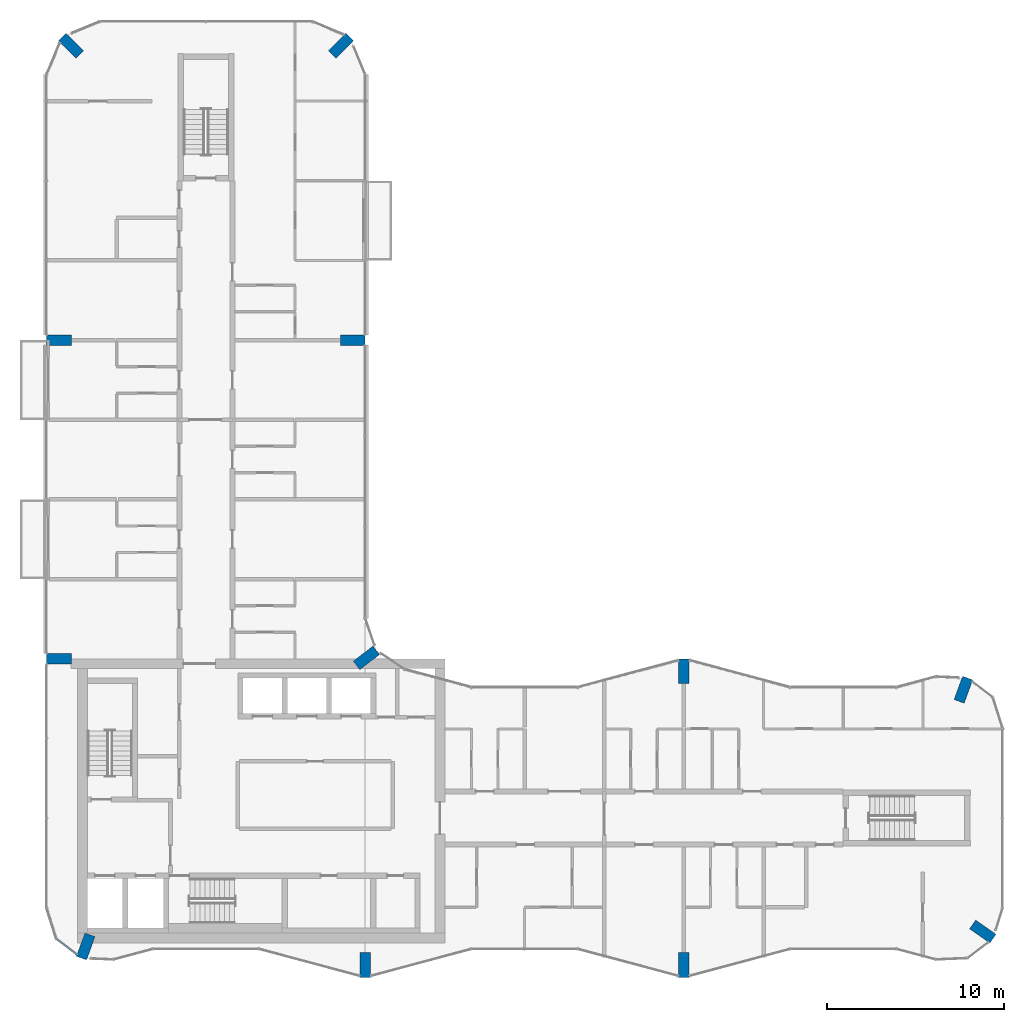
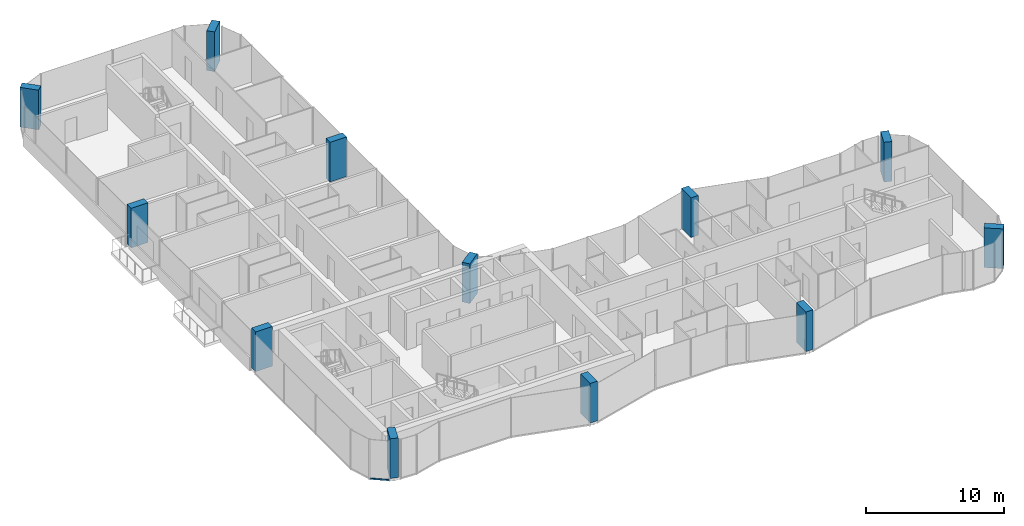
# One storey, part 1 of 16: 12 columns, 1 member, 1 element without a shape of its own.
"""IFC4 building model written with IfcOpenShell, lengths in metres."""

from ifc_helpers import new_model, si_unit, direction, frame, origin, origin_2d, place, context, subcontext, project, spatial, rectangle, extrude, material, layer, layer_set, material_profile, profile_set, type_object, element, aggregate, save


model = new_model("IFC4")

# Units and contexts
model_context = context("Model", 3, precision=1e-05, world=origin(), true_north=direction((0.0, 1.0)))
body_context = subcontext(model_context, "Body", "Model", "MODEL_VIEW")
ifc_project = project(units=[si_unit("LENGTHUNIT", "METRE"), si_unit("AREAUNIT", "SQUARE_METRE"), si_unit("VOLUMEUNIT", "CUBIC_METRE"), si_unit("PLANEANGLEUNIT", "RADIAN"), si_unit("MASSUNIT", "GRAM", prefix="KILO")], contexts=[model_context])

# Site, building, storey
site_placement = place(None, origin())
site = spatial("IfcSite", under=ifc_project, at=site_placement, CompositionType="ELEMENT")
building_placement = place(site_placement, origin())
building = spatial("IfcBuilding", under=site, at=building_placement, Name="Plateau Cross Towers", CompositionType="ELEMENT")
storey_placement = place(building_placement, frame((0.0, 0.0, 211.89990234375)))
storey = spatial("IfcBuildingStorey", under=building, at=storey_placement, Name="L55", CompositionType="ELEMENT", Elevation=211.89990234375)

# Columns
ifc_material_1 = material(Name="Concrete C60/75", Category="concrete")
ifc_material_profile_1 = material_profile(ifc_material_1, rectangle(XDim=0.60009765625, YDim=1.39990234375, at=origin_2d()), Name="RC 600x1400")
ifc_profile_set_1 = profile_set([ifc_material_profile_1], Name="Concrete C60/75")
column_type = type_object("IfcColumnType", Name="Fin pier column RC 600x1400", PredefinedType="COLUMN", material=ifc_profile_set_1)
for number, where, z_axis, x_axis, name in (
    (1, (18.0, 0.699951171875, 0.0), (0.0, 0.0, 1.0), (1.0, 0.0, 0.0), "PR1 L55"),
    (2, (36.0, 0.699951171875, 0.0), (0.0, 0.0, 1.0), (1.0, 0.0, 0.0), "PR2 L55"),
    (3, (52.884033203125, 2.590087890625, 0.0), (0.0, 0.0, 1.0), (0.573542637991, 0.819175709117, 0.0), "PR3 L55"),
    (4, (51.786865234375, 16.251953125, 0.0), (0.0, 0.0, 1.0), (-0.939664280925, 0.342097996418, 0.0), "PR4 L55"),
    (5, (36.0, 17.300048828125, 0.0), (0.0, 0.0, 1.0), (1.0, 0.0, 0.0), "PR5 L55"),
    (6, (18.064697265625, 18.049560546875, 0.0), (0.0, 0.0, 1.0), (-0.608810846443, 0.793315418515, 0.0), "PR6 L55"),
    (7, (17.300048828125, 36.0, 0.0), (0.0, 0.0, 1.0), (0.0, 1.0, 0.0), "PR7 L55"),
    (8, (16.62646484375, 52.62646484375, 0.0), (0.0, 0.0, 1.0), (-0.707106781187, 0.707106781187, 0.0), "PR8 L55"),
    (9, (1.37353515625, 52.62646484375, 0.0), (0.0, 0.0, 1.0), (0.707106781187, 0.707106781187, 0.0), "PR9 L55"),
    (10, (0.699951171875, 36.0, 0.0), (0.0, 0.0, 1.0), (0.0, 1.0, 0.0), "PR10 L55"),
    (11, (0.699951171875, 18.0, 0.0), (0.0, 0.0, 1.0), (0.0, 1.0, 0.0), "PR11 L55"),
    (12, (2.213134765625, 1.748046875, 0.0), (0.0, 0.0, 1.0), (-0.939664280925, 0.342097996418, 0.0), "PR12 L55"),
):
    element("IfcColumn", number, at=place(storey_placement, frame(where, z_axis=z_axis, x_axis=x_axis)), inside=storey, type_object=column_type, Name=name, PredefinedType="COLUMN", context=body_context, shape_type="SweptSolid", body=[
        extrude(rectangle(XDim=0.60009765625, YDim=1.39990234375, at=origin_2d()), origin(), (0.0, 0.0, 1.0), 3.5),
    ])

# Curtain wall, member
ifc_material_2 = material(Name="Dark low-iron glass", Category="glass")
ifc_layer = layer(ifc_material_2, 0.239990234375)
ifc_layer_set = layer_set([ifc_layer], Name="Dark low-iron glass")
curtain_wall_type = type_object("IfcCurtainWallType", Name="Curtain wall flush unitised CW-B", PredefinedType="NOTDEFINED", material=ifc_layer_set)
curtain_wall_placement = place(storey_placement, origin())
curtain_wall = element("IfcCurtainWall", 13, at=curtain_wall_placement, inside=storey, type_object=curtain_wall_type, Name="ENV/A/L55/A5_22", PredefinedType="NOTDEFINED")
ifc_material_3 = material(Name="Black anodised aluminium", Category="aluminium")
ifc_material_profile_2 = material_profile(ifc_material_3, rectangle(XDim=0.10009765625, YDim=0.1201171875, at=origin_2d()), Name="TRANSOM 100x120")
ifc_profile_set_2 = profile_set([ifc_material_profile_2], Name="Black anodised aluminium")
member_type = type_object("IfcMemberType", Name="Transom 100x120 flush unitised", PredefinedType="USERDEFINED", material=ifc_profile_set_2)
member_placement = place(storey_placement, frame((0.54248046875, 2.1884765625, -0.18994140625), z_axis=(0.793320508571, -0.608804213751, 0.0), x_axis=(0.608804213751, 0.793320508571, 0.0)))
member = element("IfcMember", 14, at=member_placement, type_object=member_type, Name="CW-B transom", ObjectType="TRANSOM", PredefinedType="USERDEFINED", context=body_context, shape_type="SweptSolid", body=[
    extrude(rectangle(XDim=0.10009765625, YDim=0.1201171875, at=origin_2d()), origin(), (0.0, 0.0, 1.0), 1.471435546875),
])
aggregate(curtain_wall, [member])

save(model, "model.ifc")
